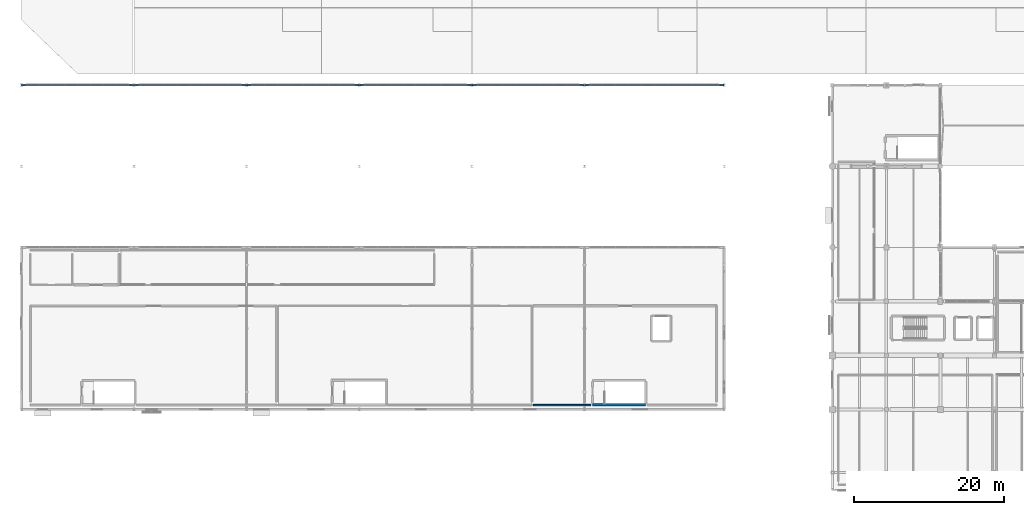
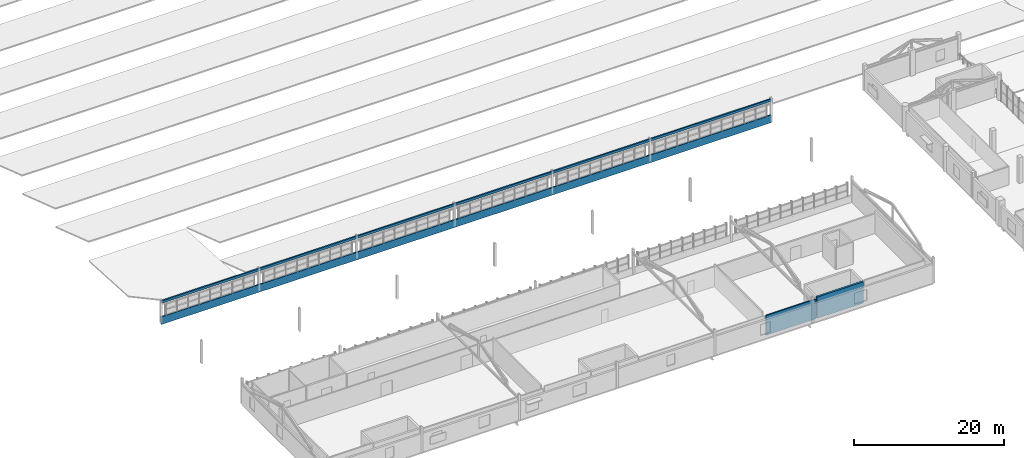
# One storey, part 71 of 90: 4 walls.
"""IFC4 building model written with IfcOpenShell, lengths in metres."""

from ifc_helpers import new_model, si_unit, direction, frame, frame_2d, origin, place, context, subcontext, project, spatial, rectangle, extrude, material, layer, layer_set, type_object, element, save


model = new_model("IFC4")

# Units and contexts
model_context = context("Model", 3, precision=1e-05, world=origin(), true_north=direction((0.0, 1.0)))
body_context = subcontext(model_context, "Body", "Model", "MODEL_VIEW")
ifc_project = project(units=[si_unit("LENGTHUNIT", "METRE"), si_unit("AREAUNIT", "SQUARE_METRE"), si_unit("VOLUMEUNIT", "CUBIC_METRE"), si_unit("PLANEANGLEUNIT", "RADIAN"), si_unit("MASSUNIT", "GRAM", prefix="KILO")], contexts=[model_context])

# Site, building, storey
site_placement = place(None, origin())
site = spatial("IfcSite", under=ifc_project, at=site_placement, CompositionType="ELEMENT")
building_placement = place(site_placement, origin())
building = spatial("IfcBuilding", under=site, at=building_placement, Name="Solanera Park Tramway Depot", CompositionType="ELEMENT")
storey_placement = place(building_placement, frame((0.0, 0.0, 9.0)))
storey = spatial("IfcBuildingStorey", under=building, at=storey_placement, Name="L02", CompositionType="ELEMENT", Elevation=9.0)

# Walls
ifc_material_1 = material(Name="Concrete N40 (C40/50)", Category="concrete")
ifc_layer_1 = layer(ifc_material_1, 0.300048828125)
ifc_layer_set_1 = layer_set([ifc_layer_1], Name="Concrete N40 (C40/50)")
wall_type_1 = type_object("IfcWallType", Name="Core Shear Wall 300", PredefinedType="SHEAR", material=ifc_layer_set_1)
wall_1_placement = place(storey_placement, frame((76.050048828125, 11.449951171875, 0.0), z_axis=(0.0, 0.0, 1.0), x_axis=(1.0, 0.0, 0.0)))
element("IfcWall", 1, at=wall_1_placement, inside=storey, type_object=wall_type_1, Name="ST-09 L02 Shear Core Wall S", PredefinedType="SHEAR", context=body_context, shape_type="SweptSolid", body=[
    extrude(rectangle(XDim=7.099853515625, YDim=0.300048828125, at=frame_2d((3.5498046875, 0.0))), origin(), (0.0, 0.0, 1.0), 3.449951171875),
])
ifc_material_2 = material(Name="Concrete N32 (C32/40)", Category="concrete")
ifc_layer_2 = layer(ifc_material_2, 0.219970703125)
ifc_layer_set_2 = layer_set([ifc_layer_2], Name="Concrete N32 (C32/40)")
wall_type_2 = type_object("IfcWallType", Name="Ext Spandrel Wall 220", PredefinedType="SOLIDWALL", material=ifc_layer_set_2)
wall_2_placement = place(storey_placement, frame((93.60009765625, 54.0, -0.2099609375), z_axis=(0.0, 0.0, 1.0), x_axis=(-1.0, 0.0, 0.0)))
element("IfcWall", 2, at=wall_2_placement, inside=storey, type_object=wall_type_2, Name="L02 Workshop Clerestory Spandrel Wall EW-L02-V2N-SP", PredefinedType="SOLIDWALL", context=body_context, shape_type="SweptSolid", body=[
    extrude(rectangle(XDim=93.60009765625, YDim=0.219970703125, at=frame_2d((46.800048828125, 0.0))), origin(), (0.0, 0.0, 1.0), 1.219970703125),
])
wall_3_placement = place(storey_placement, frame((93.60009765625, 54.0, 3.239990234375), z_axis=(0.0, 0.0, 1.0), x_axis=(-1.0, 0.0, 0.0)))
element("IfcWall", 3, at=wall_3_placement, inside=storey, type_object=wall_type_2, Name="L02 Workshop Clerestory Spandrel Wall EW-L02-V2N-HD", PredefinedType="SOLIDWALL", context=body_context, shape_type="SweptSolid", body=[
    extrude(rectangle(XDim=93.60009765625, YDim=0.219970703125, at=frame_2d((46.800048828125, 0.0))), origin(), (0.0, 0.0, 1.0), 0.380126953125),
])
ifc_material_3 = material(Name="Concrete N32 (C32/40)", Category="concrete")
ifc_layer_3 = layer(ifc_material_3, 0.199951171875)
ifc_layer_set_3 = layer_set([ifc_layer_3], Name="Concrete N32 (C32/40)")
wall_type_3 = type_object("IfcWallType", Name="Fire Compartment Wall 200", PredefinedType="SOLIDWALL", material=ifc_layer_set_3)
wall_4_placement = place(storey_placement, frame((75.85009765625, 11.39990234375, 0.0), z_axis=(0.0, 0.0, 1.0), x_axis=(-1.0, 0.0, 0.0)))
element("IfcWall", 4, at=wall_4_placement, inside=storey, type_object=wall_type_3, Name="Fleet Engineering Drawing Archive Store Dividing Wall", PredefinedType="SOLIDWALL", context=body_context, shape_type="SweptSolid", body=[
    extrude(rectangle(XDim=7.650146484375, YDim=0.199951171875, at=frame_2d((3.8251953125, 0.0))), origin(), (0.0, 0.0, 1.0), 3.1845703125),
])

save(model, "model.ifc")
